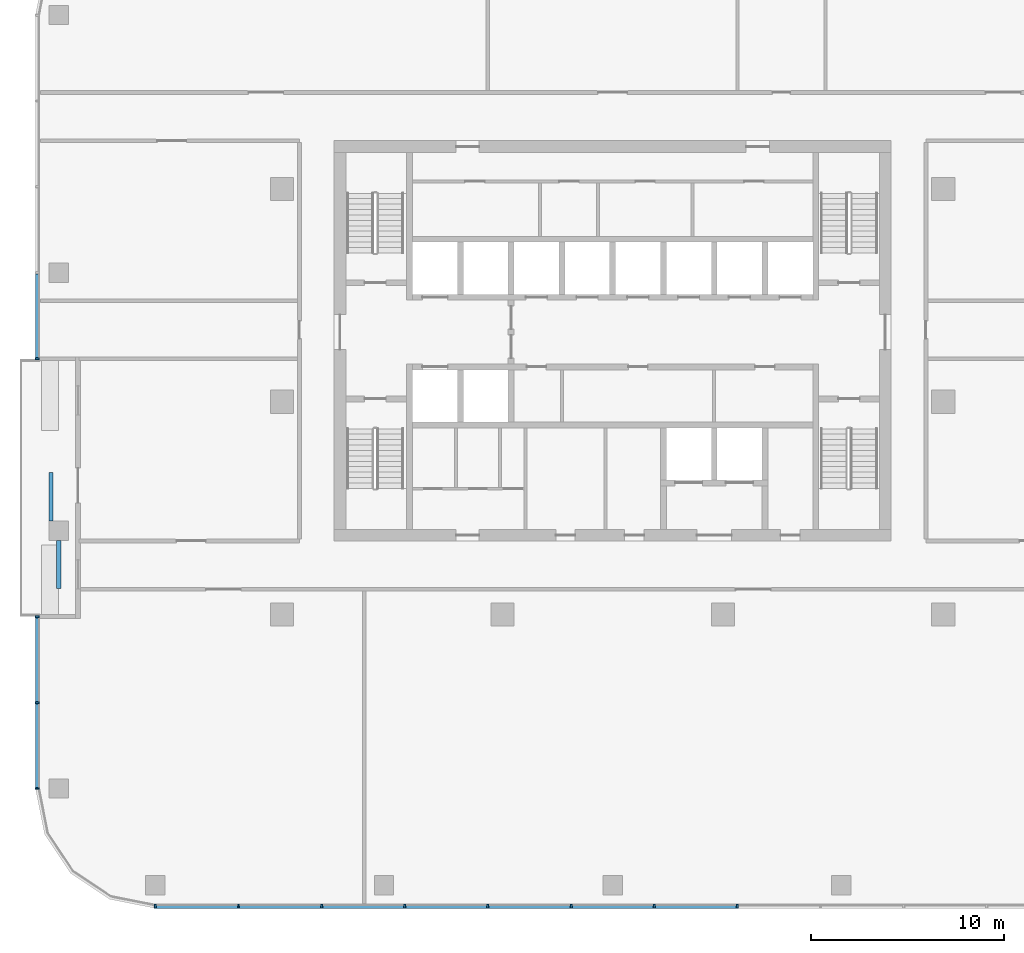
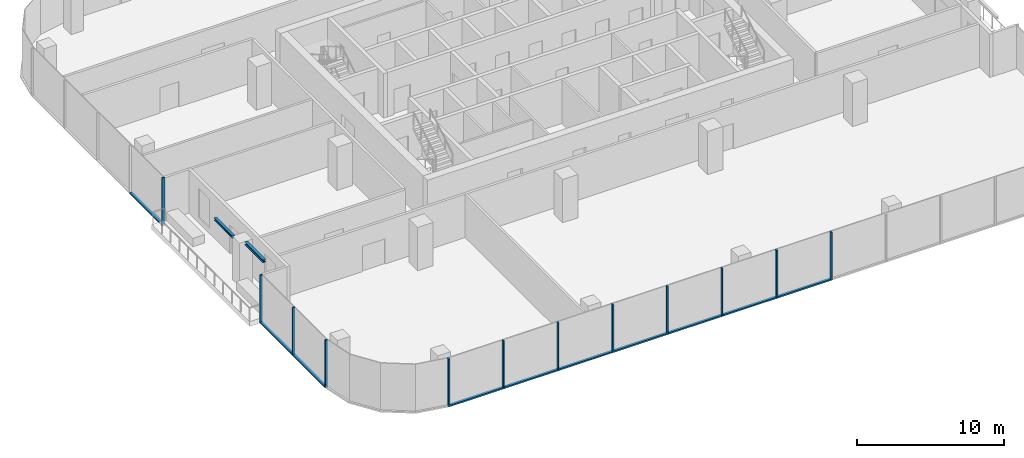
# One storey, part 2 of 13: 22 members, 2 beams, 3 elements without a shape of their own.
"""IFC4 building model written with IfcOpenShell, lengths in metres."""

from ifc_helpers import new_model, si_unit, direction, frame, origin, origin_2d, place, context, subcontext, project, spatial, rectangle, i_section, extrude, material, material_profile, profile_set, type_object, element, aggregate, save


model = new_model("IFC4")

# Units and contexts
model_context = context("Model", 3, precision=1e-05, world=origin(), true_north=direction((0.0, 1.0)))
body_context = subcontext(model_context, "Body", "Model", "MODEL_VIEW")
ifc_project = project(units=[si_unit("LENGTHUNIT", "METRE"), si_unit("AREAUNIT", "SQUARE_METRE"), si_unit("VOLUMEUNIT", "CUBIC_METRE"), si_unit("PLANEANGLEUNIT", "RADIAN"), si_unit("MASSUNIT", "GRAM", prefix="KILO")], contexts=[model_context])

# Site, building, storey
site_placement = place(None, origin())
site = spatial("IfcSite", under=ifc_project, at=site_placement, CompositionType="ELEMENT")
building_placement = place(site_placement, origin())
building = spatial("IfcBuilding", under=site, at=building_placement, Name="Mopane Tessera Tower", CompositionType="ELEMENT")
storey_placement = place(building_placement, frame((0.0, 0.0, 283.39990234375)))
storey = spatial("IfcBuildingStorey", under=building, at=storey_placement, Name="L61", CompositionType="ELEMENT", Elevation=283.39990234375)

# Curtain wall, members
ifc_material_1 = material(Name="Aluminium frame", Category="aluminium")
curtain_wall_type = type_object("IfcCurtainWallType", Name="Unitised curtain wall", PredefinedType="NOTDEFINED", material=ifc_material_1)
curtain_wall_1_placement = place(storey_placement, origin())
curtain_wall_1 = element("IfcCurtainWall", 1, at=curtain_wall_1_placement, inside=storey, type_object=curtain_wall_type, Name="e:cw:L61:S:0", PredefinedType="NOTDEFINED")
ifc_material_2 = material(Name="Aluminium frame", Category="aluminium")
ifc_material_profile_1 = material_profile(ifc_material_2, rectangle(XDim=0.10009765625, YDim=0.199951171875, at=origin_2d()))
ifc_profile_set_1 = profile_set([ifc_material_profile_1], Name="Aluminium frame")
member_type_1 = type_object("IfcMemberType", Name="Aluminium mullion 100 x 200", PredefinedType="MULLION", material=ifc_profile_set_1)
member_1_placement = place(storey_placement, frame((-23.64990234375, -26.10009765625, -0.39990234375), z_axis=(0.0, 0.0, 1.0), x_axis=(1.0, 0.0, 0.0)))
member_1 = element("IfcMember", 2, at=member_1_placement, type_object=member_type_1, Name="e:cw:L61:S:0:mu0", PredefinedType="MULLION", context=body_context, shape_type="SweptSolid", body=[
    extrude(rectangle(XDim=0.10009765625, YDim=0.199951171875, at=origin_2d()), origin(), (0.0, 0.0, 1.0), 4.0),
])
member_2_placement = place(storey_placement, frame((-19.35009765625, -26.10009765625, -0.39990234375), z_axis=(0.0, 0.0, 1.0), x_axis=(1.0, 0.0, 0.0)))
member_2 = element("IfcMember", 3, at=member_2_placement, type_object=member_type_1, Name="e:cw:L61:S:0:mu1", PredefinedType="MULLION", context=body_context, shape_type="SweptSolid", body=[
    extrude(rectangle(XDim=0.10009765625, YDim=0.199951171875, at=origin_2d()), origin(), (0.0, 0.0, 1.0), 4.0),
])
member_3_placement = place(storey_placement, frame((-15.050048828125, -26.10009765625, -0.39990234375), z_axis=(0.0, 0.0, 1.0), x_axis=(1.0, 0.0, 0.0)))
member_3 = element("IfcMember", 4, at=member_3_placement, type_object=member_type_1, Name="e:cw:L61:S:0:mu2", PredefinedType="MULLION", context=body_context, shape_type="SweptSolid", body=[
    extrude(rectangle(XDim=0.10009765625, YDim=0.199951171875, at=origin_2d()), origin(), (0.0, 0.0, 1.0), 4.0),
])
member_4_placement = place(storey_placement, frame((-10.75, -26.10009765625, -0.39990234375), z_axis=(0.0, 0.0, 1.0), x_axis=(1.0, 0.0, 0.0)))
member_4 = element("IfcMember", 5, at=member_4_placement, type_object=member_type_1, Name="e:cw:L61:S:0:mu3", PredefinedType="MULLION", context=body_context, shape_type="SweptSolid", body=[
    extrude(rectangle(XDim=0.10009765625, YDim=0.199951171875, at=origin_2d()), origin(), (0.0, 0.0, 1.0), 4.0),
])
member_5_placement = place(storey_placement, frame((-6.449951171875, -26.10009765625, -0.39990234375), z_axis=(0.0, 0.0, 1.0), x_axis=(1.0, 0.0, 0.0)))
member_5 = element("IfcMember", 6, at=member_5_placement, type_object=member_type_1, Name="e:cw:L61:S:0:mu4", PredefinedType="MULLION", context=body_context, shape_type="SweptSolid", body=[
    extrude(rectangle(XDim=0.10009765625, YDim=0.199951171875, at=origin_2d()), origin(), (0.0, 0.0, 1.0), 4.0),
])
member_6_placement = place(storey_placement, frame((-2.14990234375, -26.10009765625, -0.39990234375), z_axis=(0.0, 0.0, 1.0), x_axis=(1.0, 0.0, 0.0)))
member_6 = element("IfcMember", 7, at=member_6_placement, type_object=member_type_1, Name="e:cw:L61:S:0:mu5", PredefinedType="MULLION", context=body_context, shape_type="SweptSolid", body=[
    extrude(rectangle(XDim=0.10009765625, YDim=0.199951171875, at=origin_2d()), origin(), (0.0, 0.0, 1.0), 4.0),
])
member_7_placement = place(storey_placement, frame((2.14990234375, -26.10009765625, -0.39990234375), z_axis=(0.0, 0.0, 1.0), x_axis=(1.0, 0.0, 0.0)))
member_7 = element("IfcMember", 8, at=member_7_placement, type_object=member_type_1, Name="e:cw:L61:S:0:mu6", PredefinedType="MULLION", context=body_context, shape_type="SweptSolid", body=[
    extrude(rectangle(XDim=0.10009765625, YDim=0.199951171875, at=origin_2d()), origin(), (0.0, 0.0, 1.0), 4.0),
])
member_8_placement = place(storey_placement, frame((6.449951171875, -26.10009765625, -0.39990234375), z_axis=(0.0, 0.0, 1.0), x_axis=(1.0, 0.0, 0.0)))
member_8 = element("IfcMember", 9, at=member_8_placement, type_object=member_type_1, Name="e:cw:L61:S:0:mu7", PredefinedType="MULLION", context=body_context, shape_type="SweptSolid", body=[
    extrude(rectangle(XDim=0.10009765625, YDim=0.199951171875, at=origin_2d()), origin(), (0.0, 0.0, 1.0), 4.0),
])

# Curtain wall, member
curtain_wall_2_placement = place(storey_placement, origin())
curtain_wall_2 = element("IfcCurtainWall", 10, at=curtain_wall_2_placement, inside=storey, type_object=curtain_wall_type, Name="e:cw:L61:W:0", PredefinedType="NOTDEFINED")
member_9_placement = place(storey_placement, frame((-29.75, 2.22216796875, -0.39990234375), z_axis=(0.0, 0.0, 1.0), x_axis=(0.0, -1.0, 0.0)))
member_9 = element("IfcMember", 11, at=member_9_placement, type_object=member_type_1, Name="e:cw:L61:W:0:mu4", PredefinedType="MULLION", context=body_context, shape_type="SweptSolid", body=[
    extrude(rectangle(XDim=0.10009765625, YDim=0.199951171875, at=origin_2d()), origin(), (0.0, 0.0, 1.0), 4.0),
])

# Curtain wall, members
curtain_wall_3_placement = place(storey_placement, origin())
curtain_wall_3 = element("IfcCurtainWall", 12, at=curtain_wall_3_placement, inside=storey, type_object=curtain_wall_type, Name="e:cw:L61:W:7", PredefinedType="NOTDEFINED")
member_10_placement = place(storey_placement, frame((-29.75, -11.111083984375, -0.39990234375), z_axis=(0.0, 0.0, 1.0), x_axis=(0.0, -1.0, 0.0)))
member_10 = element("IfcMember", 13, at=member_10_placement, type_object=member_type_1, Name="e:cw:L61:W:7:mu7", PredefinedType="MULLION", context=body_context, shape_type="SweptSolid", body=[
    extrude(rectangle(XDim=0.10009765625, YDim=0.199951171875, at=origin_2d()), origin(), (0.0, 0.0, 1.0), 4.0),
])
member_11_placement = place(storey_placement, frame((-29.75, -15.5556640625, -0.39990234375), z_axis=(0.0, 0.0, 1.0), x_axis=(0.0, -1.0, 0.0)))
member_11 = element("IfcMember", 14, at=member_11_placement, type_object=member_type_1, Name="e:cw:L61:W:7:mu8", PredefinedType="MULLION", context=body_context, shape_type="SweptSolid", body=[
    extrude(rectangle(XDim=0.10009765625, YDim=0.199951171875, at=origin_2d()), origin(), (0.0, 0.0, 1.0), 4.0),
])
member_12_placement = place(storey_placement, frame((-29.75, -20.0, -0.39990234375), z_axis=(0.0, 0.0, 1.0), x_axis=(0.0, -1.0, 0.0)))
member_12 = element("IfcMember", 15, at=member_12_placement, type_object=member_type_1, Name="e:cw:L61:W:7:mu9", PredefinedType="MULLION", context=body_context, shape_type="SweptSolid", body=[
    extrude(rectangle(XDim=0.10009765625, YDim=0.199951171875, at=origin_2d()), origin(), (0.0, 0.0, 1.0), 4.0),
])

# Member
ifc_material_3 = material(Name="Aluminium frame", Category="aluminium")
ifc_material_profile_2 = material_profile(ifc_material_3, rectangle(XDim=0.199951171875, YDim=0.1201171875, at=origin_2d()))
ifc_profile_set_2 = profile_set([ifc_material_profile_2], Name="Aluminium frame")
member_type_2 = type_object("IfcMemberType", Name="Aluminium transom 200 x 120", PredefinedType="USERDEFINED", material=ifc_profile_set_2)
member_13_placement = place(storey_placement, frame((-23.60009765625, -26.10009765625, -0.33984375), z_axis=(1.0, 0.0, 0.0), x_axis=(0.0, 1.0, 0.0)))
member_13 = element("IfcMember", 16, at=member_13_placement, type_object=member_type_2, Name="e:cw:L61:S:0:tr0", ObjectType="TRANSOM", PredefinedType="USERDEFINED", context=body_context, shape_type="SweptSolid", body=[
    extrude(rectangle(XDim=0.199951171875, YDim=0.1201171875, at=origin_2d()), origin(), (0.0, 0.0, 1.0), 4.2001953125),
])

member_14_placement = place(storey_placement, frame((-19.300048828125, -26.10009765625, -0.33984375), z_axis=(1.0, 0.0, 0.0), x_axis=(0.0, 1.0, 0.0)))
member_14 = element("IfcMember", 17, at=member_14_placement, type_object=member_type_2, Name="e:cw:L61:S:0:tr1", ObjectType="TRANSOM", PredefinedType="USERDEFINED", context=body_context, shape_type="SweptSolid", body=[
    extrude(rectangle(XDim=0.199951171875, YDim=0.1201171875, at=origin_2d()), origin(), (0.0, 0.0, 1.0), 4.199951171875),
])

member_15_placement = place(storey_placement, frame((-15.0, -26.10009765625, -0.33984375), z_axis=(1.0, 0.0, 0.0), x_axis=(0.0, 1.0, 0.0)))
member_15 = element("IfcMember", 18, at=member_15_placement, type_object=member_type_2, Name="e:cw:L61:S:0:tr2", ObjectType="TRANSOM", PredefinedType="USERDEFINED", context=body_context, shape_type="SweptSolid", body=[
    extrude(rectangle(XDim=0.199951171875, YDim=0.1201171875, at=origin_2d()), origin(), (0.0, 0.0, 1.0), 4.199951171875),
])

member_16_placement = place(storey_placement, frame((-10.699951171875, -26.10009765625, -0.33984375), z_axis=(1.0, 0.0, 0.0), x_axis=(0.0, 1.0, 0.0)))
member_16 = element("IfcMember", 19, at=member_16_placement, type_object=member_type_2, Name="e:cw:L61:S:0:tr3", ObjectType="TRANSOM", PredefinedType="USERDEFINED", context=body_context, shape_type="SweptSolid", body=[
    extrude(rectangle(XDim=0.199951171875, YDim=0.1201171875, at=origin_2d()), origin(), (0.0, 0.0, 1.0), 4.199951171875),
])

member_17_placement = place(storey_placement, frame((-6.39990234375, -26.10009765625, -0.33984375), z_axis=(1.0, 0.0, 0.0), x_axis=(0.0, 1.0, 0.0)))
member_17 = element("IfcMember", 20, at=member_17_placement, type_object=member_type_2, Name="e:cw:L61:S:0:tr4", ObjectType="TRANSOM", PredefinedType="USERDEFINED", context=body_context, shape_type="SweptSolid", body=[
    extrude(rectangle(XDim=0.199951171875, YDim=0.1201171875, at=origin_2d()), origin(), (0.0, 0.0, 1.0), 4.199951171875),
])

member_18_placement = place(storey_placement, frame((-2.10009765625, -26.10009765625, -0.33984375), z_axis=(1.0, 0.0, 0.0), x_axis=(0.0, 1.0, 0.0)))
member_18 = element("IfcMember", 21, at=member_18_placement, type_object=member_type_2, Name="e:cw:L61:S:0:tr5", ObjectType="TRANSOM", PredefinedType="USERDEFINED", context=body_context, shape_type="SweptSolid", body=[
    extrude(rectangle(XDim=0.199951171875, YDim=0.1201171875, at=origin_2d()), origin(), (0.0, 0.0, 1.0), 4.2001953125),
])

member_19_placement = place(storey_placement, frame((2.199951171875, -26.10009765625, -0.33984375), z_axis=(1.0, 0.0, 0.0), x_axis=(0.0, 1.0, 0.0)))
member_19 = element("IfcMember", 22, at=member_19_placement, type_object=member_type_2, Name="e:cw:L61:S:0:tr6", ObjectType="TRANSOM", PredefinedType="USERDEFINED", context=body_context, shape_type="SweptSolid", body=[
    extrude(rectangle(XDim=0.199951171875, YDim=0.1201171875, at=origin_2d()), origin(), (0.0, 0.0, 1.0), 4.199951171875),
])

aggregate(curtain_wall_1, [member_1, member_2, member_3, member_4, member_5, member_6, member_7, member_8, member_13, member_14, member_15, member_16, member_17, member_18, member_19])

member_20_placement = place(storey_placement, frame((-29.75, 6.61669921875, -0.33984375), z_axis=(0.0, -1.0, 0.0), x_axis=(1.0, 0.0, 0.0)))
member_20 = element("IfcMember", 23, at=member_20_placement, type_object=member_type_2, Name="e:cw:L61:W:0:tr3", ObjectType="TRANSOM", PredefinedType="USERDEFINED", context=body_context, shape_type="SweptSolid", body=[
    extrude(rectangle(XDim=0.199951171875, YDim=0.1201171875, at=origin_2d()), origin(), (0.0, 0.0, 1.0), 4.344482421875),
])

aggregate(curtain_wall_2, [member_9, member_20])

member_21_placement = place(storey_placement, frame((-29.75, -11.1611328125, -0.33984375), z_axis=(0.0, -1.0, 0.0), x_axis=(1.0, 0.0, 0.0)))
member_21 = element("IfcMember", 24, at=member_21_placement, type_object=member_type_2, Name="e:cw:L61:W:7:tr7", ObjectType="TRANSOM", PredefinedType="USERDEFINED", context=body_context, shape_type="SweptSolid", body=[
    extrude(rectangle(XDim=0.199951171875, YDim=0.1201171875, at=origin_2d()), origin(), (0.0, 0.0, 1.0), 4.344482421875),
])

member_22_placement = place(storey_placement, frame((-29.75, -15.60546875, -0.33984375), z_axis=(0.0, -1.0, 0.0), x_axis=(1.0, 0.0, 0.0)))
member_22 = element("IfcMember", 25, at=member_22_placement, type_object=member_type_2, Name="e:cw:L61:W:7:tr8", ObjectType="TRANSOM", PredefinedType="USERDEFINED", context=body_context, shape_type="SweptSolid", body=[
    extrude(rectangle(XDim=0.199951171875, YDim=0.1201171875, at=origin_2d()), origin(), (0.0, 0.0, 1.0), 4.344482421875),
])

aggregate(curtain_wall_3, [member_10, member_11, member_12, member_21, member_22])

# Beams
ifc_material_4 = material(Name="Structural steel S460", Category="steel")
ifc_material_profile_3 = material_profile(ifc_material_4, i_section(OverallWidth=0.239990234375, OverallDepth=0.239990234375, WebThickness=0.010009765625, FlangeThickness=0.01708984375, FilletRadius=0.02099609375, at=origin_2d()))
ifc_profile_set_3 = profile_set([ifc_material_profile_3], Name="Structural steel S460")
beam_type_1 = type_object("IfcBeamType", Name="Terrace spandrel beam HE 240 B", PredefinedType="SPANDREL", material=ifc_profile_set_3)
beam_1_placement = place(storey_placement, frame((-28.64990234375, -7.169677734375, 3.47998046875), z_axis=(0.0, -1.0, 0.0), x_axis=(1.0, 0.0, 0.0)))
element("IfcBeam", 26, at=beam_1_placement, inside=storey, type_object=beam_type_1, Name="Terrace spandrel beam N3 L62", PredefinedType="SPANDREL", context=body_context, shape_type="SweptSolid", body=[
    extrude(i_section(OverallWidth=0.239990234375, OverallDepth=0.239990234375, WebThickness=0.010009765625, FlangeThickness=0.01708984375, FilletRadius=0.02099609375, at=origin_2d()), origin(), (0.0, 0.0, 1.0), 2.5),
])
ifc_material_5 = material(Name="Structural steel S460", Category="steel")
ifc_material_profile_4 = material_profile(ifc_material_5, i_section(OverallWidth=0.199951171875, OverallDepth=0.199951171875, WebThickness=0.009033203125, FlangeThickness=0.014892578125, FilletRadius=0.01806640625, at=origin_2d()))
ifc_profile_set_4 = profile_set([ifc_material_profile_4], Name="Structural steel S460")
beam_type_2 = type_object("IfcBeamType", Name="Terrace trimmer beam HE 200 B", PredefinedType="BEAM", material=ifc_profile_set_4)
beam_2_placement = place(storey_placement, frame((-29.0498046875, -6.163818359375, 3.5), z_axis=(0.0, 1.0, 0.0), x_axis=(-1.0, 0.0, 0.0)))
element("IfcBeam", 27, at=beam_2_placement, inside=storey, type_object=beam_type_2, Name="Terrace trimmer beam N3 L62", PredefinedType="BEAM", context=body_context, shape_type="SweptSolid", body=[
    extrude(i_section(OverallWidth=0.199951171875, OverallDepth=0.199951171875, WebThickness=0.009033203125, FlangeThickness=0.014892578125, FilletRadius=0.01806640625, at=origin_2d()), origin(), (0.0, 0.0, 1.0), 2.5),
])

save(model, "model.ifc")
